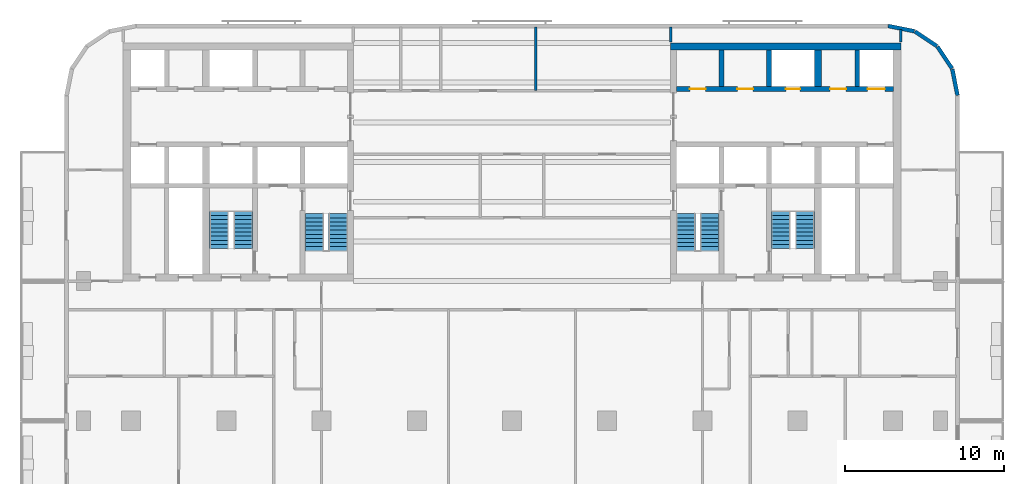
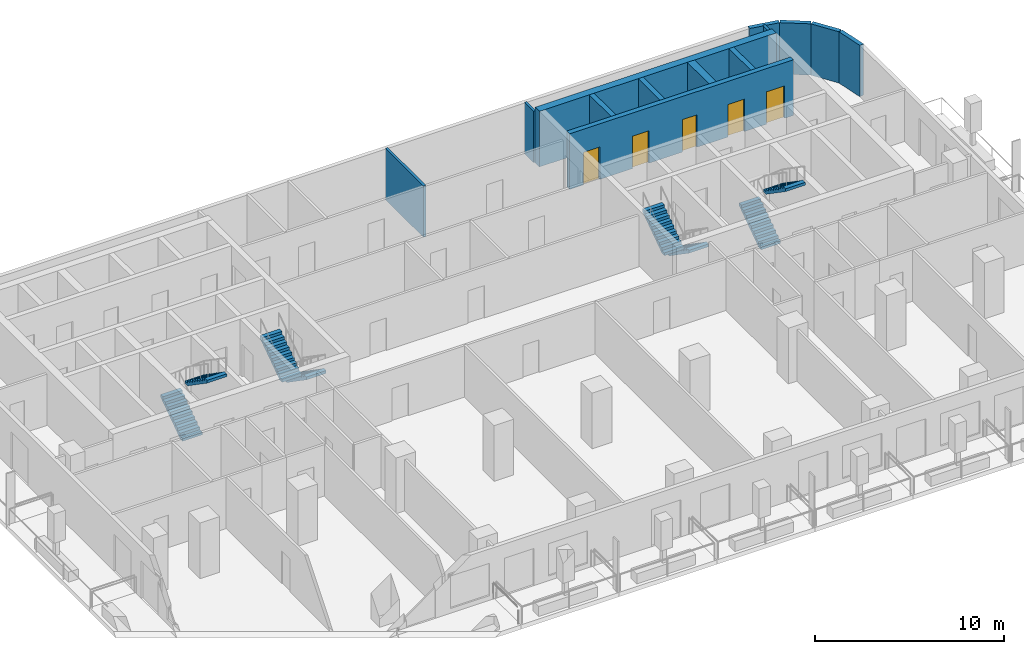
# One storey, part 7 of 11: 13 walls, 8 stair flights, 5 doors, 5 openings, 4 elements without a shape of their own.
"""IFC4 building model written with IfcOpenShell, lengths in metres."""

from ifc_helpers import new_model, si_unit, direction, frame, frame_2d, origin, place, context, subcontext, project, spatial, polyline, rectangle, outline, extrude, material, layer, layer_set, type_object, element, fill, aggregate, save


model = new_model("IFC4")

# Units and contexts
model_context = context("Model", 3, precision=1e-05, world=origin(), true_north=direction((0.0, 1.0)))
body_context = subcontext(model_context, "Body", "Model", "MODEL_VIEW")
ifc_project = project(units=[si_unit("LENGTHUNIT", "METRE"), si_unit("AREAUNIT", "SQUARE_METRE"), si_unit("VOLUMEUNIT", "CUBIC_METRE"), si_unit("PLANEANGLEUNIT", "RADIAN"), si_unit("MASSUNIT", "GRAM", prefix="KILO")], contexts=[model_context])

# Site, building, storey
site_placement = place(None, origin())
site = spatial("IfcSite", under=ifc_project, at=site_placement, CompositionType="ELEMENT")
building_placement = place(site_placement, origin())
building = spatial("IfcBuilding", under=site, at=building_placement, Name="Torana Hotel and Residences", CompositionType="ELEMENT")
storey_placement = place(building_placement, frame((0.0, 0.0, 148.800048828125)))
storey = spatial("IfcBuildingStorey", under=building, at=storey_placement, Name="L38", CompositionType="ELEMENT", Elevation=148.800048828125)

# Wall, openings, doors
ifc_material_1 = material(Name="Concrete C70/85", Category="concrete")
ifc_layer_1 = layer(ifc_material_1, 0.300048828125)
ifc_layer_set_1 = layer_set([ifc_layer_1], Name="CORE WALL 300 C70/85")
wall_type_1 = type_object("IfcWallType", Name="CORE WALL 300 C70/85", PredefinedType="SHEAR", material=ifc_layer_set_1)
wall_1_placement = place(storey_placement, frame((10.35009765625, -2.89990234375, 0.0), z_axis=(0.0, 0.0, 1.0), x_axis=(1.0, 0.0, 0.0)))
wall_1 = element("IfcWall", 1, at=wall_1_placement, inside=storey, type_object=wall_type_1, Name="Core wall E row-N", PredefinedType="SHEAR", context=body_context, shape_type="SweptSolid", body=[
    extrude(rectangle(XDim=13.699951171875, YDim=0.300048828125, at=frame_2d((6.85009765625, 0.0))), origin(), (0.0, 0.0, 1.0), 3.599853515625),
])
opening_1_placement = place(wall_1_placement, frame((12.050048828125, 0.0, 0.0)))
opening_1 = element("IfcOpeningElement", 2, at=opening_1_placement, cuts=wall_1, Name="Opening LD", PredefinedType="OPENING", context=body_context, shape_type="SweptSolid", body=[
    extrude(rectangle(XDim=1.10009765625, YDim=2.10009765625, at=frame_2d((0.550048828125, 1.050048828125))), frame((0.0, 0.159912109375, 0.0), z_axis=(0.0, -1.0, 0.0), x_axis=(1.0, 0.0, 0.0)), (0.0, 0.0, 1.0), 0.320068359375),
])
opening_2_placement = place(wall_1_placement, frame((6.89990234375, 0.0, 0.0)))
opening_2 = element("IfcOpeningElement", 3, at=opening_2_placement, cuts=wall_1, Name="Opening L38-21", PredefinedType="OPENING", context=body_context, shape_type="SweptSolid", body=[
    extrude(rectangle(XDim=0.89990234375, YDim=2.10009765625, at=frame_2d((0.449951171875, 1.050048828125))), frame((0.0, 0.159912109375, 0.0), z_axis=(0.0, -1.0, 0.0), x_axis=(1.0, 0.0, 0.0)), (0.0, 0.0, 1.0), 0.320068359375),
])
opening_3_placement = place(wall_1_placement, frame((0.85009765625, 0.0, 0.0)))
opening_3 = element("IfcOpeningElement", 4, at=opening_3_placement, cuts=wall_1, Name="Opening L38-22", PredefinedType="OPENING", context=body_context, shape_type="SweptSolid", body=[
    extrude(rectangle(XDim=1.0, YDim=2.10009765625, at=frame_2d((0.5, 1.050048828125))), frame((0.0, 0.159912109375, 0.0), z_axis=(0.0, -1.0, 0.0), x_axis=(1.0, 0.0, 0.0)), (0.0, 0.0, 1.0), 0.320068359375),
])
opening_4_placement = place(wall_1_placement, frame((3.85009765625, 0.0, 0.0)))
opening_4 = element("IfcOpeningElement", 5, at=opening_4_placement, cuts=wall_1, Name="Opening L38-23", PredefinedType="OPENING", context=body_context, shape_type="SweptSolid", body=[
    extrude(rectangle(XDim=1.0, YDim=2.10009765625, at=frame_2d((0.5, 1.050048828125))), frame((0.0, 0.159912109375, 0.0), z_axis=(0.0, -1.0, 0.0), x_axis=(1.0, 0.0, 0.0)), (0.0, 0.0, 1.0), 0.320068359375),
])
opening_5_placement = place(wall_1_placement, frame((9.699951171875, 0.0, 0.0)))
opening_5 = element("IfcOpeningElement", 6, at=opening_5_placement, cuts=wall_1, Name="Opening L38-24", PredefinedType="OPENING", context=body_context, shape_type="SweptSolid", body=[
    extrude(rectangle(XDim=1.0, YDim=2.10009765625, at=frame_2d((0.5, 1.050048828125))), frame((0.0, 0.159912109375, 0.0), z_axis=(0.0, -1.0, 0.0), x_axis=(1.0, 0.0, 0.0)), (0.0, 0.0, 1.0), 0.320068359375),
])
ifc_material_2 = material(Name="Steel S235", Category="steel")
door_type_1 = type_object("IfcDoorType", Name="CORE ROOM FIRE DOOR D14 1000x2100", OperationType="SINGLE_SWING_LEFT", PredefinedType="DOOR", material=ifc_material_2)
door_1_placement = place(opening_3_placement, origin())
door_1 = element("IfcDoor", 7, at=door_1_placement, inside=storey, type_object=door_type_1, Name="N0 door L38", OperationType="SINGLE_SWING_RIGHT", OverallHeight=2.10009765625, OverallWidth=1.0, PredefinedType="DOOR", context=body_context, shape_type="SweptSolid", body=[
    extrude(rectangle(XDim=1.0, YDim=2.10009765625, at=frame_2d((0.5, 1.050048828125))), frame((0.0, 0.02490234375, 0.0), z_axis=(0.0, -1.0, 0.0), x_axis=(1.0, 0.0, 0.0)), (0.0, 0.0, 1.0), 0.050048828125),
])
fill(opening_3, door_1)
door_2_placement = place(opening_4_placement, origin())
door_2 = element("IfcDoor", 8, at=door_2_placement, inside=storey, type_object=door_type_1, Name="N1 door L38", OperationType="SINGLE_SWING_RIGHT", OverallHeight=2.10009765625, OverallWidth=1.0, PredefinedType="DOOR", context=body_context, shape_type="SweptSolid", body=[
    extrude(rectangle(XDim=1.0, YDim=2.10009765625, at=frame_2d((0.5, 1.050048828125))), frame((0.0, 0.02490234375, 0.0), z_axis=(0.0, -1.0, 0.0), x_axis=(1.0, 0.0, 0.0)), (0.0, 0.0, 1.0), 0.050048828125),
])
fill(opening_4, door_2)
door_3_placement = place(opening_5_placement, origin())
door_3 = element("IfcDoor", 9, at=door_3_placement, inside=storey, type_object=door_type_1, Name="Freed-S2 door L38", OperationType="SINGLE_SWING_RIGHT", OverallHeight=2.10009765625, OverallWidth=1.0, PredefinedType="DOOR", context=body_context, shape_type="SweptSolid", body=[
    extrude(rectangle(XDim=1.0, YDim=2.10009765625, at=frame_2d((0.5, 1.050048828125))), frame((0.0, 0.02490234375, 0.0), z_axis=(0.0, -1.0, 0.0), x_axis=(1.0, 0.0, 0.0)), (0.0, 0.0, 1.0), 0.050048828125),
])
fill(opening_5, door_3)
ifc_material_3 = material(Name="Stainless steel 316", Category="steel")
door_type_2 = type_object("IfcDoorType", Name="LIFT LANDING DOOR LD 1100x2100", OperationType="DOUBLE_DOOR_SLIDING", PredefinedType="USERDEFINED", material=ifc_material_3)
door_4_placement = place(opening_1_placement, origin())
door_4 = element("IfcDoor", 10, at=door_4_placement, inside=storey, type_object=door_type_2, Name="Lift landing door M3 L38", ObjectType="LIFT LANDING DOOR", OperationType="DOUBLE_DOOR_SLIDING", OverallHeight=2.10009765625, OverallWidth=1.10009765625, PredefinedType="USERDEFINED", context=body_context, shape_type="SweptSolid", body=[
    extrude(rectangle(XDim=1.10009765625, YDim=2.10009765625, at=frame_2d((0.550048828125, 1.050048828125))), frame((0.0, 0.02490234375, 0.0), z_axis=(0.0, -1.0, 0.0), x_axis=(1.0, 0.0, 0.0)), (0.0, 0.0, 1.0), 0.050048828125),
])
fill(opening_1, door_4)
ifc_material_4 = material(Name="Steel S235", Category="steel")
door_type_3 = type_object("IfcDoorType", Name="RISER ACCESS DOOR D5 900x2100", OperationType="SINGLE_SWING_LEFT", PredefinedType="DOOR", material=ifc_material_4)
door_5_placement = place(opening_2_placement, origin())
door_5 = element("IfcDoor", 11, at=door_5_placement, inside=storey, type_object=door_type_3, Name="N2 door L38", OperationType="SINGLE_SWING_RIGHT", OverallHeight=2.10009765625, OverallWidth=0.89990234375, PredefinedType="DOOR", context=body_context, shape_type="SweptSolid", body=[
    extrude(rectangle(XDim=0.89990234375, YDim=2.10009765625, at=frame_2d((0.449951171875, 1.050048828125))), frame((0.0, 0.02490234375, 0.0), z_axis=(0.0, -1.0, 0.0), x_axis=(1.0, 0.0, 0.0)), (0.0, 0.0, 1.0), 0.050048828125),
])
fill(opening_2, door_5)

# Walls
for number, where, z_axis, x_axis, name in (
    (12, (13.199951171875, -2.75, 0.0), (0.0, 0.0, 1.0), (0.0, 1.0, 0.0), "Core wall E x3.05-N"),
    (13, (16.199951171875, -2.75, 0.0), (0.0, 0.0, 1.0), (0.0, 1.0, 0.0), "Core wall E x6.05-N"),
    (14, (21.75, -2.75, 0.0), (0.0, 0.0, 1.0), (0.0, 1.0, 0.0), "Core wall E mm-N"),
):
    element("IfcWall", number, at=place(storey_placement, frame(where, z_axis=z_axis, x_axis=x_axis)), inside=storey, type_object=wall_type_1, Name=name, PredefinedType="SHEAR", context=body_context, shape_type="SweptSolid", body=[
        extrude(rectangle(XDim=2.300048828125, YDim=0.300048828125, at=frame_2d((1.14990234375, 0.0))), origin(), (0.0, 0.0, 1.0), 3.599853515625),
    ])
ifc_material_5 = material(Name="Concrete C70/85", Category="concrete")
ifc_layer_2 = layer(ifc_material_5, 0.449951171875)
ifc_layer_set_2 = layer_set([ifc_layer_2], Name="CORE WALL 450 C70/85")
wall_type_2 = type_object("IfcWallType", Name="CORE WALL 450 C70/85", PredefinedType="SHEAR", material=ifc_layer_set_2)
wall_2_placement = place(storey_placement, frame((10.0, -0.22509765625, 0.0), z_axis=(0.0, 0.0, 1.0), x_axis=(1.0, 0.0, 0.0)))
element("IfcWall", 15, at=wall_2_placement, inside=storey, type_object=wall_type_2, Name="Core wall E rear", PredefinedType="SHEAR", context=body_context, shape_type="SweptSolid", body=[
    extrude(rectangle(XDim=14.5, YDim=0.449951171875, at=frame_2d((7.25, 0.0))), origin(), (0.0, 0.0, 1.0), 3.599853515625),
])
wall_3_placement = place(storey_placement, frame((19.27490234375, -2.75, 0.0), z_axis=(0.0, 0.0, 1.0), x_axis=(0.0, 1.0, 0.0)))
element("IfcWall", 16, at=wall_3_placement, inside=storey, type_object=wall_type_2, Name="Core wall E hm-N", PredefinedType="SHEAR", context=body_context, shape_type="SweptSolid", body=[
    extrude(rectangle(XDim=2.300048828125, YDim=0.449951171875, at=frame_2d((1.14990234375, 0.0))), origin(), (0.0, 0.0, 1.0), 3.599853515625),
])
ifc_material_6 = material(Name="Black aluminium composite panel", Category="aluminium")
ifc_layer_3 = layer(ifc_material_6, 0.00390625, Name="Cladding", Category="cladding")
ifc_material_7 = material(Name="Ventilated air cavity")
ifc_layer_4 = layer(ifc_material_7, 0.0400390625, Name="Ventilated cavity", Category="cavity")
ifc_material_8 = material(Name="Mineral wool insulation")
ifc_layer_5 = layer(ifc_material_8, 0.090087890625, Name="Insulation", Category="insulation")
ifc_material_9 = material(Name="Steel S280GD", Category="steel")
ifc_layer_6 = layer(ifc_material_9, 0.092041015625, Name="Steel stud frame", Category="structure")
ifc_material_10 = material(Name="Fire rated plasterboard")
ifc_layer_7 = layer(ifc_material_10, 0.011962890625, Name="Inner board", Category="finish")
ifc_layer_8 = layer(ifc_material_10, 0.011962890625, Name="Second board", Category="finish")
ifc_layer_set_3 = layer_set([ifc_layer_3, ifc_layer_4, ifc_layer_5, ifc_layer_6, ifc_layer_7, ifc_layer_8], Name="EW1 EXTERNAL WALL BLACK METAL CLAD 250")
wall_type_3 = type_object("IfcWallType", Name="EW1 EXTERNAL WALL BLACK METAL CLAD 250", PredefinedType="SOLIDWALL", material=ifc_layer_set_3)
wall_4_placement = place(storey_placement, frame((28.072509765625, -3.30029296875, 0.0), z_axis=(0.0, 0.0, 1.0), x_axis=(-0.194999110559, 0.980803419081, 0.0)))
element("IfcWall", 17, at=wall_4_placement, inside=storey, type_object=wall_type_3, Name="External wall L38 e0.0", PredefinedType="SOLIDWALL", context=body_context, shape_type="SweptSolid", body=[
    extrude(rectangle(XDim=1.681396484375, YDim=0.25, at=frame_2d((0.8408203125, 0.0))), origin(), (0.0, 0.0, 1.0), 3.320068359375),
])
for number, where, z_axis, x_axis, name in (
    (18, (27.725830078125, -1.60595703125, 0.0), (0.0, 0.0, 1.0), (-0.55555029066, 0.831482937015, 0.0), "External wall L38 e0.1"),
    (19, (26.771240234375, -0.1943359375, 0.0), (0.0, 0.0, 1.0), (-0.831482937015, 0.55555029066, 0.0), "External wall L38 e0.2"),
):
    element("IfcWall", number, at=place(storey_placement, frame(where, z_axis=z_axis, x_axis=x_axis)), inside=storey, type_object=wall_type_3, Name=name, PredefinedType="SOLIDWALL", context=body_context, shape_type="SweptSolid", body=[
        extrude(rectangle(XDim=1.65625, YDim=0.25, at=frame_2d((0.828125, 0.0))), origin(), (0.0, 0.0, 1.0), 3.320068359375),
    ])
wall_5_placement = place(storey_placement, frame((25.348876953125, 0.74462890625, 0.0), z_axis=(0.0, 0.0, 1.0), x_axis=(-0.980803419081, 0.194999110559, 0.0)))
element("IfcWall", 20, at=wall_5_placement, inside=storey, type_object=wall_type_3, Name="External wall L38 e0.3", PredefinedType="SOLIDWALL", context=body_context, shape_type="SweptSolid", body=[
    extrude(rectangle(XDim=1.681396484375, YDim=0.25, at=frame_2d((0.8408203125, 0.0))), origin(), (0.0, 0.0, 1.0), 3.320068359375),
])
ifc_material_11 = material(Name="Gypsum plasterboard")
ifc_layer_9 = layer(ifc_material_11, 0.012451171875, Name="Plasterboard", Category="finish")
ifc_layer_10 = layer(ifc_material_11, 0.012451171875, Name="Plasterboard", Category="finish")
ifc_layer_11 = layer(ifc_material_9, 0.10009765625, Name="Steel studs with mineral wool", Category="insulation")
ifc_layer_12 = layer(ifc_material_11, 0.012451171875, Name="Plasterboard", Category="finish")
ifc_layer_13 = layer(ifc_material_11, 0.012451171875, Name="Plasterboard", Category="finish")
ifc_layer_set_4 = layer_set([ifc_layer_9, ifc_layer_10, ifc_layer_11, ifc_layer_12, ifc_layer_13], Name="PARTITION 150 PLASTERBOARD")
wall_type_4 = type_object("IfcWallType", Name="PARTITION 150 PLASTERBOARD", PredefinedType="PARTITIONING", material=ifc_layer_set_4)
wall_6_placement = place(storey_placement, frame((24.5, 0.050048828125, 0.0), z_axis=(0.0, 0.0, 1.0), x_axis=(0.0, 1.0, 0.0)))
element("IfcWall", 21, at=wall_6_placement, inside=storey, type_object=wall_type_4, Name="Partition L38", PredefinedType="PARTITIONING", context=body_context, shape_type="SweptSolid", body=[
    extrude(rectangle(XDim=0.807373046875, YDim=0.14990234375, at=frame_2d((0.40380859375, 0.0))), origin(), (0.0, 0.0, 1.0), 3.320068359375),
])
wall_7_placement = place(storey_placement, frame((10.0, 0.050048828125, 0.0), z_axis=(0.0, 0.0, 1.0), x_axis=(0.0, 1.0, 0.0)))
element("IfcWall", 22, at=wall_7_placement, inside=storey, type_object=wall_type_4, Name="Partition L38", PredefinedType="PARTITIONING", context=body_context, shape_type="SweptSolid", body=[
    extrude(rectangle(XDim=0.969970703125, YDim=0.14990234375, at=frame_2d((0.48486328125, 0.0))), origin(), (0.0, 0.0, 1.0), 3.320068359375),
])
wall_8_placement = place(storey_placement, frame((1.5, -3.0, 0.0), z_axis=(0.0, 0.0, 1.0), x_axis=(0.0, 1.0, 0.0)))
element("IfcWall", 23, at=wall_8_placement, inside=storey, type_object=wall_type_4, Name="Partition L38", PredefinedType="PARTITIONING", context=body_context, shape_type="SweptSolid", body=[
    extrude(rectangle(XDim=4.02001953125, YDim=0.14990234375, at=frame_2d((2.010009765625, 0.0))), origin(), (0.0, 0.0, 1.0), 3.320068359375),
])

# Stair, stair flights
ifc_material_12 = material(Name="Concrete C40/50 precast", Category="concrete")
stair_type_1 = type_object("IfcStairType", Name="STAIR ST1 HALF TURN 1200", PredefinedType="HALF_TURN_STAIR", material=ifc_material_12)
stair_1_placement = place(storey_placement, origin())
stair_1 = element("IfcStair", 24, at=stair_1_placement, inside=storey, type_object=stair_type_1, Name="Stair ST1 L38", PredefinedType="HALF_TURN_STAIR")
ifc_material_13 = material(Name="Concrete C40/50 precast", Category="concrete")
stair_flight_type = type_object("IfcStairFlightType", Name="STAIR FLIGHT 1200 PRECAST", PredefinedType="STRAIGHT", material=ifc_material_13)
stair_flight_1_placement = place(storey_placement, frame((-10.949951171875, -10.75, 0.0), z_axis=(0.0, 0.0, 1.0), x_axis=(0.0, -1.0, 0.0)))
stair_flight_1 = element("IfcStairFlight", 25, at=stair_flight_1_placement, type_object=stair_flight_type, Name="ST1 flight 1", NumberOfRisers=10, NumberOfTreads=9, PredefinedType="STRAIGHT", RiserHeight=0.18, TreadLength=0.26, context=body_context, shape_type="SweptSolid", body=[
    extrude(outline(polyline([(0.0, 0.0), (0.0, 0.179931640625), (0.260009765625, 0.179931640625), (0.260009765625, 0.360107421875), (0.52001953125, 0.360107421875), (0.52001953125, 0.5400390625), (0.780029296875, 0.5400390625), (0.780029296875, 0.719970703125), (1.0400390625, 0.719970703125), (1.0400390625, 0.89990234375), (1.300048828125, 0.89990234375), (1.300048828125, 1.080078125), (1.56005859375, 1.080078125), (1.56005859375, 1.260009765625), (1.820068359375, 1.260009765625), (1.820068359375, 1.43994140625), (2.080078125, 1.43994140625), (2.080078125, 1.6201171875), (2.340087890625, 1.6201171875), (2.340087890625, 1.800048828125), (2.340087890625, 1.437744140625), (0.263427734375, 0.0), (0.0, 0.0)])), frame((0.0, 0.60009765625, 0.0), z_axis=(0.0, -1.0, 0.0), x_axis=(1.0, 0.0, 0.0)), (0.0, 0.0, 1.0), 1.199951171875),
])
stair_flight_2_placement = place(storey_placement, frame((-12.449951171875, -13.090087890625, 1.800048828125), z_axis=(0.0, 0.0, 1.0), x_axis=(0.0, 1.0, 0.0)))
stair_flight_2 = element("IfcStairFlight", 26, at=stair_flight_2_placement, type_object=stair_flight_type, Name="ST1 flight 2", NumberOfRisers=10, NumberOfTreads=9, PredefinedType="STRAIGHT", RiserHeight=0.18, TreadLength=0.26, context=body_context, shape_type="SweptSolid", body=[
    extrude(outline(polyline([(0.0, 0.0), (0.0, 0.179931640625), (0.260009765625, 0.179931640625), (0.260009765625, 0.360107421875), (0.52001953125, 0.360107421875), (0.52001953125, 0.5400390625), (0.780029296875, 0.5400390625), (0.780029296875, 0.719970703125), (1.0400390625, 0.719970703125), (1.0400390625, 0.89990234375), (1.300048828125, 0.89990234375), (1.300048828125, 1.080078125), (1.56005859375, 1.080078125), (1.56005859375, 1.260009765625), (1.820068359375, 1.260009765625), (1.820068359375, 1.43994140625), (2.080078125, 1.43994140625), (2.080078125, 1.6201171875), (2.340087890625, 1.6201171875), (2.340087890625, 1.800048828125), (2.340087890625, 1.437744140625), (0.263427734375, 0.0), (0.0, 0.0)])), frame((0.0, 0.60009765625, 0.0), z_axis=(0.0, -1.0, 0.0), x_axis=(1.0, 0.0, 0.0)), (0.0, 0.0, 1.0), 1.199951171875),
])
aggregate(stair_1, [stair_flight_1, stair_flight_2])

ifc_material_14 = material(Name="Concrete C40/50 precast", Category="concrete")
stair_type_2 = type_object("IfcStairType", Name="STAIR ST2 HALF TURN 1200", PredefinedType="HALF_TURN_STAIR", material=ifc_material_14)
stair_2_placement = place(storey_placement, origin())
stair_2 = element("IfcStair", 27, at=stair_2_placement, inside=storey, type_object=stair_type_2, Name="Stair ST2 L38", PredefinedType="HALF_TURN_STAIR")
stair_flight_3_placement = place(storey_placement, frame((-18.449951171875, -12.949951171875, 0.0), z_axis=(0.0, 0.0, 1.0), x_axis=(0.0, 1.0, 0.0)))
stair_flight_3 = element("IfcStairFlight", 28, at=stair_flight_3_placement, type_object=stair_flight_type, Name="ST2 flight 1", NumberOfRisers=10, NumberOfTreads=9, PredefinedType="STRAIGHT", RiserHeight=0.18, TreadLength=0.26, context=body_context, shape_type="SweptSolid", body=[
    extrude(outline(polyline([(0.0, 0.0), (0.0, 0.179931640625), (0.260009765625, 0.179931640625), (0.260009765625, 0.360107421875), (0.52001953125, 0.360107421875), (0.52001953125, 0.5400390625), (0.780029296875, 0.5400390625), (0.780029296875, 0.719970703125), (1.0400390625, 0.719970703125), (1.0400390625, 0.89990234375), (1.300048828125, 0.89990234375), (1.300048828125, 1.080078125), (1.56005859375, 1.080078125), (1.56005859375, 1.260009765625), (1.820068359375, 1.260009765625), (1.820068359375, 1.43994140625), (2.080078125, 1.43994140625), (2.080078125, 1.6201171875), (2.340087890625, 1.6201171875), (2.340087890625, 1.800048828125), (2.340087890625, 1.437744140625), (0.263427734375, 0.0), (0.0, 0.0)])), frame((0.0, 0.60009765625, 0.0), z_axis=(0.0, -1.0, 0.0), x_axis=(1.0, 0.0, 0.0)), (0.0, 0.0, 1.0), 1.199951171875),
])
stair_flight_4_placement = place(storey_placement, frame((-16.949951171875, -10.610107421875, 1.800048828125), z_axis=(0.0, 0.0, 1.0), x_axis=(0.0, -1.0, 0.0)))
stair_flight_4 = element("IfcStairFlight", 29, at=stair_flight_4_placement, type_object=stair_flight_type, Name="ST2 flight 2", NumberOfRisers=10, NumberOfTreads=9, PredefinedType="STRAIGHT", RiserHeight=0.18, TreadLength=0.26, context=body_context, shape_type="SweptSolid", body=[
    extrude(outline(polyline([(0.0, 0.0), (0.0, 0.179931640625), (0.260009765625, 0.179931640625), (0.260009765625, 0.360107421875), (0.52001953125, 0.360107421875), (0.52001953125, 0.5400390625), (0.780029296875, 0.5400390625), (0.780029296875, 0.719970703125), (1.0400390625, 0.719970703125), (1.0400390625, 0.89990234375), (1.300048828125, 0.89990234375), (1.300048828125, 1.080078125), (1.56005859375, 1.080078125), (1.56005859375, 1.260009765625), (1.820068359375, 1.260009765625), (1.820068359375, 1.43994140625), (2.080078125, 1.43994140625), (2.080078125, 1.6201171875), (2.340087890625, 1.6201171875), (2.340087890625, 1.800048828125), (2.340087890625, 1.437744140625), (0.263427734375, 0.0), (0.0, 0.0)])), frame((0.0, 0.60009765625, 0.0), z_axis=(0.0, -1.0, 0.0), x_axis=(1.0, 0.0, 0.0)), (0.0, 0.0, 1.0), 1.199951171875),
])
aggregate(stair_2, [stair_flight_3, stair_flight_4])

ifc_material_15 = material(Name="Concrete C40/50 precast", Category="concrete")
stair_type_3 = type_object("IfcStairType", Name="STAIR ST3 HALF TURN 1200", PredefinedType="HALF_TURN_STAIR", material=ifc_material_15)
stair_3_placement = place(storey_placement, origin())
stair_3 = element("IfcStair", 30, at=stair_3_placement, inside=storey, type_object=stair_type_3, Name="Stair ST3 L38", PredefinedType="HALF_TURN_STAIR")
stair_flight_5_placement = place(storey_placement, frame((12.449951171875, -10.75, 0.0), z_axis=(0.0, 0.0, 1.0), x_axis=(0.0, -1.0, 0.0)))
stair_flight_5 = element("IfcStairFlight", 31, at=stair_flight_5_placement, type_object=stair_flight_type, Name="ST3 flight 1", NumberOfRisers=10, NumberOfTreads=9, PredefinedType="STRAIGHT", RiserHeight=0.18, TreadLength=0.26, context=body_context, shape_type="SweptSolid", body=[
    extrude(outline(polyline([(0.0, 0.0), (0.0, 0.179931640625), (0.260009765625, 0.179931640625), (0.260009765625, 0.360107421875), (0.52001953125, 0.360107421875), (0.52001953125, 0.5400390625), (0.780029296875, 0.5400390625), (0.780029296875, 0.719970703125), (1.0400390625, 0.719970703125), (1.0400390625, 0.89990234375), (1.300048828125, 0.89990234375), (1.300048828125, 1.080078125), (1.56005859375, 1.080078125), (1.56005859375, 1.260009765625), (1.820068359375, 1.260009765625), (1.820068359375, 1.43994140625), (2.080078125, 1.43994140625), (2.080078125, 1.6201171875), (2.340087890625, 1.6201171875), (2.340087890625, 1.800048828125), (2.340087890625, 1.437744140625), (0.263427734375, 0.0), (0.0, 0.0)])), frame((0.0, 0.60009765625, 0.0), z_axis=(0.0, -1.0, 0.0), x_axis=(1.0, 0.0, 0.0)), (0.0, 0.0, 1.0), 1.199951171875),
])
stair_flight_6_placement = place(storey_placement, frame((10.949951171875, -13.090087890625, 1.800048828125), z_axis=(0.0, 0.0, 1.0), x_axis=(0.0, 1.0, 0.0)))
stair_flight_6 = element("IfcStairFlight", 32, at=stair_flight_6_placement, type_object=stair_flight_type, Name="ST3 flight 2", NumberOfRisers=10, NumberOfTreads=9, PredefinedType="STRAIGHT", RiserHeight=0.18, TreadLength=0.26, context=body_context, shape_type="SweptSolid", body=[
    extrude(outline(polyline([(0.0, 0.0), (0.0, 0.179931640625), (0.260009765625, 0.179931640625), (0.260009765625, 0.360107421875), (0.52001953125, 0.360107421875), (0.52001953125, 0.5400390625), (0.780029296875, 0.5400390625), (0.780029296875, 0.719970703125), (1.0400390625, 0.719970703125), (1.0400390625, 0.89990234375), (1.300048828125, 0.89990234375), (1.300048828125, 1.080078125), (1.56005859375, 1.080078125), (1.56005859375, 1.260009765625), (1.820068359375, 1.260009765625), (1.820068359375, 1.43994140625), (2.080078125, 1.43994140625), (2.080078125, 1.6201171875), (2.340087890625, 1.6201171875), (2.340087890625, 1.800048828125), (2.340087890625, 1.437744140625), (0.263427734375, 0.0), (0.0, 0.0)])), frame((0.0, 0.60009765625, 0.0), z_axis=(0.0, -1.0, 0.0), x_axis=(1.0, 0.0, 0.0)), (0.0, 0.0, 1.0), 1.199951171875),
])
aggregate(stair_3, [stair_flight_5, stair_flight_6])

ifc_material_16 = material(Name="Concrete C40/50 precast", Category="concrete")
stair_type_4 = type_object("IfcStairType", Name="STAIR ST4 HALF TURN 1200", PredefinedType="HALF_TURN_STAIR", material=ifc_material_16)
stair_4_placement = place(storey_placement, origin())
stair_4 = element("IfcStair", 33, at=stair_4_placement, inside=storey, type_object=stair_type_4, Name="Stair ST4 L38", PredefinedType="HALF_TURN_STAIR")
stair_flight_7_placement = place(storey_placement, frame((16.949951171875, -12.949951171875, 0.0), z_axis=(0.0, 0.0, 1.0), x_axis=(0.0, 1.0, 0.0)))
stair_flight_7 = element("IfcStairFlight", 34, at=stair_flight_7_placement, type_object=stair_flight_type, Name="ST4 flight 1", NumberOfRisers=10, NumberOfTreads=9, PredefinedType="STRAIGHT", RiserHeight=0.18, TreadLength=0.26, context=body_context, shape_type="SweptSolid", body=[
    extrude(outline(polyline([(0.0, 0.0), (0.0, 0.179931640625), (0.260009765625, 0.179931640625), (0.260009765625, 0.360107421875), (0.52001953125, 0.360107421875), (0.52001953125, 0.5400390625), (0.780029296875, 0.5400390625), (0.780029296875, 0.719970703125), (1.0400390625, 0.719970703125), (1.0400390625, 0.89990234375), (1.300048828125, 0.89990234375), (1.300048828125, 1.080078125), (1.56005859375, 1.080078125), (1.56005859375, 1.260009765625), (1.820068359375, 1.260009765625), (1.820068359375, 1.43994140625), (2.080078125, 1.43994140625), (2.080078125, 1.6201171875), (2.340087890625, 1.6201171875), (2.340087890625, 1.800048828125), (2.340087890625, 1.437744140625), (0.263427734375, 0.0), (0.0, 0.0)])), frame((0.0, 0.60009765625, 0.0), z_axis=(0.0, -1.0, 0.0), x_axis=(1.0, 0.0, 0.0)), (0.0, 0.0, 1.0), 1.199951171875),
])
stair_flight_8_placement = place(storey_placement, frame((18.449951171875, -10.610107421875, 1.800048828125), z_axis=(0.0, 0.0, 1.0), x_axis=(0.0, -1.0, 0.0)))
stair_flight_8 = element("IfcStairFlight", 35, at=stair_flight_8_placement, type_object=stair_flight_type, Name="ST4 flight 2", NumberOfRisers=10, NumberOfTreads=9, PredefinedType="STRAIGHT", RiserHeight=0.18, TreadLength=0.26, context=body_context, shape_type="SweptSolid", body=[
    extrude(outline(polyline([(0.0, 0.0), (0.0, 0.179931640625), (0.260009765625, 0.179931640625), (0.260009765625, 0.360107421875), (0.52001953125, 0.360107421875), (0.52001953125, 0.5400390625), (0.780029296875, 0.5400390625), (0.780029296875, 0.719970703125), (1.0400390625, 0.719970703125), (1.0400390625, 0.89990234375), (1.300048828125, 0.89990234375), (1.300048828125, 1.080078125), (1.56005859375, 1.080078125), (1.56005859375, 1.260009765625), (1.820068359375, 1.260009765625), (1.820068359375, 1.43994140625), (2.080078125, 1.43994140625), (2.080078125, 1.6201171875), (2.340087890625, 1.6201171875), (2.340087890625, 1.800048828125), (2.340087890625, 1.437744140625), (0.263427734375, 0.0), (0.0, 0.0)])), frame((0.0, 0.60009765625, 0.0), z_axis=(0.0, -1.0, 0.0), x_axis=(1.0, 0.0, 0.0)), (0.0, 0.0, 1.0), 1.199951171875),
])
aggregate(stair_4, [stair_flight_7, stair_flight_8])

save(model, "model.ifc")
